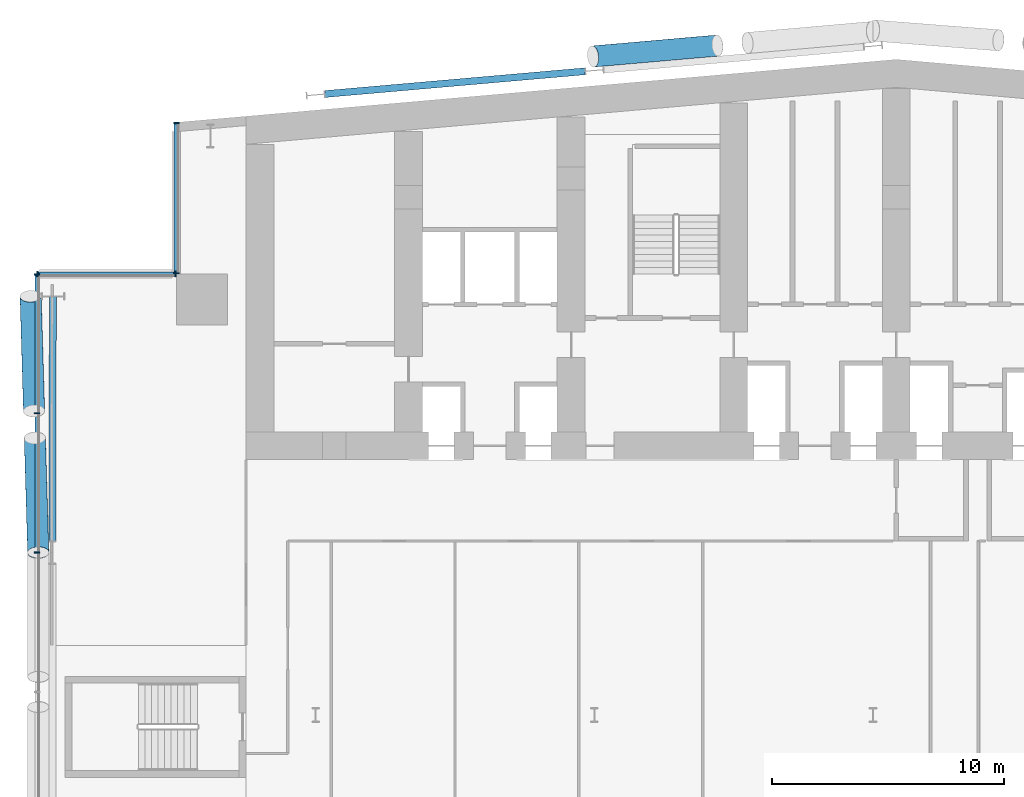
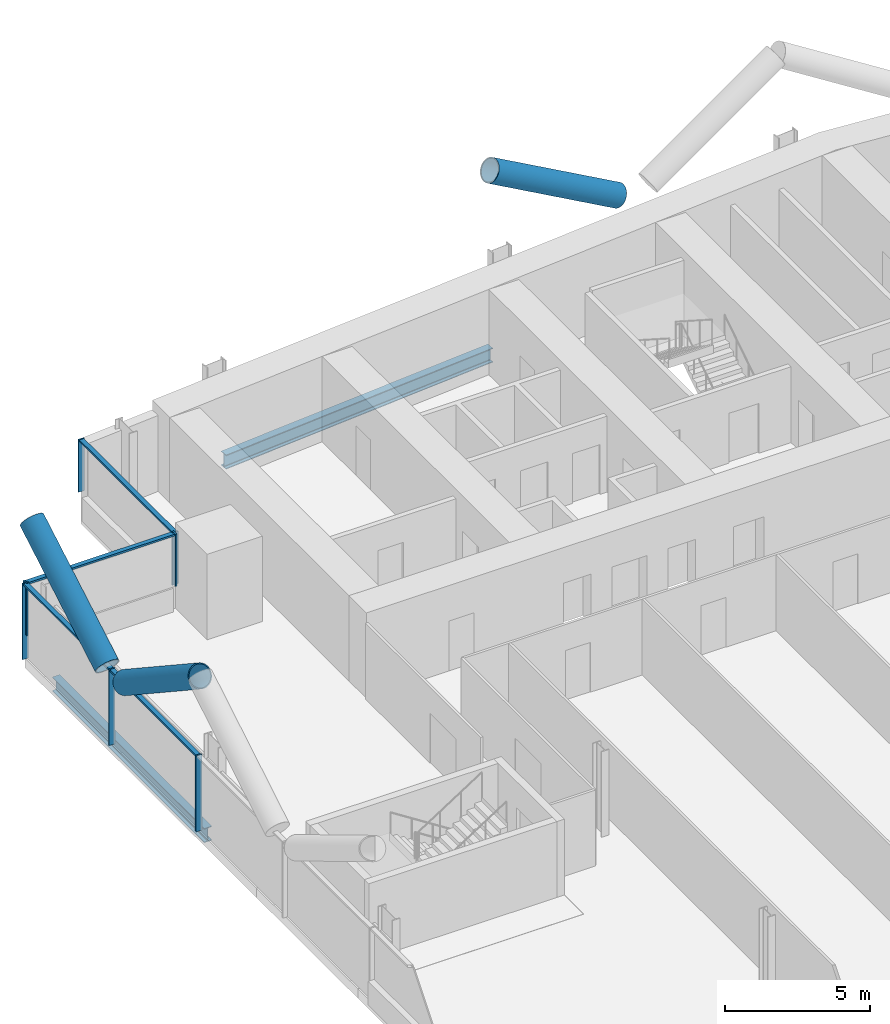
# One storey, part 7 of 25: 14 members, 2 beams, 3 elements without a shape of their own.
"""IFC4 building model written with IfcOpenShell, lengths in metres."""

from ifc_helpers import new_model, si_unit, direction, frame, origin, origin_2d, place, context, subcontext, project, spatial, rectangle, hollow_circle, i_section, extrude, material, material_profile, profile_set, type_object, element, aggregate, save


model = new_model("IFC4")

# Units and contexts
model_context = context("Model", 3, precision=1e-05, world=origin(), true_north=direction((0.0, 1.0)))
body_context = subcontext(model_context, "Body", "Model", "MODEL_VIEW")
ifc_project = project(units=[si_unit("LENGTHUNIT", "METRE"), si_unit("AREAUNIT", "SQUARE_METRE"), si_unit("VOLUMEUNIT", "CUBIC_METRE"), si_unit("PLANEANGLEUNIT", "RADIAN"), si_unit("MASSUNIT", "GRAM", prefix="KILO")], contexts=[model_context])

# Site, building, storey
site_placement = place(None, origin())
site = spatial("IfcSite", under=ifc_project, at=site_placement, CompositionType="ELEMENT")
building_placement = place(site_placement, origin())
building = spatial("IfcBuilding", under=site, at=building_placement, Name="Wharfspan Tower", CompositionType="ELEMENT")
storey_placement = place(building_placement, frame((0.0, 0.0, 63.100098)))
storey = spatial("IfcBuildingStorey", under=building, at=storey_placement, Name="L12", CompositionType="ELEMENT", Elevation=63.100098)

# Beams
ifc_material_1 = material(Name="Steel S355J2", Category="steel")
ifc_material_profile_1 = material_profile(ifc_material_1, i_section(OverallWidth=0.300049, OverallDepth=0.600098, WebThickness=0.015381, FlangeThickness=0.030029, FilletRadius=0.0271, at=origin_2d()))
ifc_profile_set_1 = profile_set([ifc_material_profile_1], Name="Steel S355J2")
beam_type = type_object("IfcBeamType", Name="Edge beam HEB 600", PredefinedType="SPANDREL", material=ifc_profile_set_1)
beam_1_placement = place(storey_placement, frame((23.598633, 50.724609, -0.700195), z_axis=(-0.996194, -0.087165, 0.0), x_axis=(0.087165, -0.996194, 0.0)))
element("IfcBeam", 1, at=beam_1_placement, inside=storey, type_object=beam_type, Name="Edge beam N1 L12 R.2 to R.1", PredefinedType="SPANDREL", context=body_context, shape_type="SweptSolid", body=[
    extrude(i_section(OverallWidth=0.300049, OverallDepth=0.600098, WebThickness=0.015381, FlangeThickness=0.030029, FilletRadius=0.0271, at=origin_2d()), origin(), (0.0, 0.0, 1.0), 11.23999),
])
beam_2_placement = place(storey_placement, frame((0.684814, 41.027832, -0.700195), z_axis=(-0.002249, -0.999997, 0.0), x_axis=(0.999997, -0.002249, 0.0)))
element("IfcBeam", 2, at=beam_2_placement, inside=storey, type_object=beam_type, Name="Edge beam W L12 PNRW-H.1 to PW.1", PredefinedType="SPANDREL", context=body_context, shape_type="SweptSolid", body=[
    extrude(i_section(OverallWidth=0.300049, OverallDepth=0.600098, WebThickness=0.015381, FlangeThickness=0.030029, FilletRadius=0.0271, at=origin_2d()), origin(), (0.0, 0.0, 1.0), 10.527832),
])

# Curtain wall, members
ifc_material_2 = material(Name="Aluminium 6063-T6", Category="aluminium")
curtain_wall_type = type_object("IfcCurtainWallType", Name="CURTAIN WALL PROW AND END", PredefinedType="NOTDEFINED", material=ifc_material_2)
curtain_wall_1_placement = place(storey_placement, origin())
curtain_wall_1 = element("IfcCurtainWall", 3, at=curtain_wall_1_placement, inside=storey, type_object=curtain_wall_type, Name="Curtain wall NRW-V", PredefinedType="NOTDEFINED")
ifc_material_profile_2 = material_profile(ifc_material_2, rectangle(XDim=0.23999, YDim=0.060059, at=origin_2d()))
ifc_profile_set_2 = profile_set([ifc_material_profile_2], Name="Aluminium 6063-T6")
member_type_1 = type_object("IfcMemberType", Name="MULLION PROW AND END 60x240", PredefinedType="MULLION", material=ifc_profile_set_2)
member_1_placement = place(storey_placement, frame((6.0, 48.494873, 1.0), z_axis=(0.0, 0.0, 1.0), x_axis=(1.0, 0.0, 0.0)))
member_1 = element("IfcMember", 4, at=member_1_placement, type_object=member_type_1, Name="Curtain wall NRW-V mullion 1", PredefinedType="MULLION", context=body_context, shape_type="SweptSolid", body=[
    extrude(rectangle(XDim=0.23999, YDim=0.060059, at=origin_2d()), origin(), (0.0, 0.0, 1.0), 2.199951),
])
member_2_placement = place(storey_placement, frame((6.0, 42.030029, 1.0), z_axis=(0.0, 0.0, 1.0), x_axis=(1.0, 0.0, 0.0)))
member_2 = element("IfcMember", 5, at=member_2_placement, type_object=member_type_1, Name="Curtain wall NRW-V mullion 2", PredefinedType="MULLION", context=body_context, shape_type="SweptSolid", body=[
    extrude(rectangle(XDim=0.23999, YDim=0.060059, at=origin_2d()), origin(), (0.0, 0.0, 1.0), 2.199951),
])

curtain_wall_2_placement = place(storey_placement, origin())
curtain_wall_2 = element("IfcCurtainWall", 6, at=curtain_wall_2_placement, inside=storey, type_object=curtain_wall_type, Name="Curtain wall NRW-H", PredefinedType="NOTDEFINED")
member_3_placement = place(storey_placement, frame((5.969971, 42.0, 1.0), z_axis=(0.0, 0.0, 1.0), x_axis=(0.0, -1.0, 0.0)))
member_3 = element("IfcMember", 7, at=member_3_placement, type_object=member_type_1, Name="Curtain wall NRW-H mullion 1", PredefinedType="MULLION", context=body_context, shape_type="SweptSolid", body=[
    extrude(rectangle(XDim=0.23999, YDim=0.060059, at=origin_2d()), origin(), (0.0, 0.0, 1.0), 2.199951),
])
member_4_placement = place(storey_placement, frame((0.030029, 42.0, 1.0), z_axis=(0.0, 0.0, 1.0), x_axis=(0.0, -1.0, 0.0)))
member_4 = element("IfcMember", 8, at=member_4_placement, type_object=member_type_1, Name="Curtain wall NRW-H mullion 2", PredefinedType="MULLION", context=body_context, shape_type="SweptSolid", body=[
    extrude(rectangle(XDim=0.23999, YDim=0.060059, at=origin_2d()), origin(), (0.0, 0.0, 1.0), 2.199951),
])

curtain_wall_3_placement = place(storey_placement, origin())
curtain_wall_3 = element("IfcCurtainWall", 9, at=curtain_wall_3_placement, inside=storey, type_object=curtain_wall_type, Name="Curtain wall W", PredefinedType="NOTDEFINED")
member_5_placement = place(storey_placement, frame((0.0, 41.969971, 0.0), z_axis=(0.0, 0.0, 1.0), x_axis=(1.0, 0.0, 0.0)))
member_5 = element("IfcMember", 10, at=member_5_placement, type_object=member_type_1, Name="Curtain wall W mullion 1", PredefinedType="MULLION", context=body_context, shape_type="SweptSolid", body=[
    extrude(rectangle(XDim=0.23999, YDim=0.060059, at=origin_2d()), origin(), (0.0, 0.0, 1.0), 3.199951),
])
member_6_placement = place(storey_placement, frame((0.0, 36.0, 0.0), z_axis=(0.0, 0.0, 1.0), x_axis=(1.0, 0.0, 0.0)))
member_6 = element("IfcMember", 11, at=member_6_placement, type_object=member_type_1, Name="Curtain wall W mullion 2", PredefinedType="MULLION", context=body_context, shape_type="SweptSolid", body=[
    extrude(rectangle(XDim=0.23999, YDim=0.060059, at=origin_2d()), origin(), (0.0, 0.0, 1.0), 3.199951),
])
member_7_placement = place(storey_placement, frame((0.0, 30.0, 0.0), z_axis=(0.0, 0.0, 1.0), x_axis=(1.0, 0.0, 0.0)))
member_7 = element("IfcMember", 12, at=member_7_placement, type_object=member_type_1, Name="Curtain wall W mullion 3", PredefinedType="MULLION", context=body_context, shape_type="SweptSolid", body=[
    extrude(rectangle(XDim=0.23999, YDim=0.060059, at=origin_2d()), origin(), (0.0, 0.0, 1.0), 3.199951),
])

# Members
ifc_material_3 = material(Name="Steel S460NH", Category="steel")
ifc_material_profile_3 = material_profile(ifc_material_3, hollow_circle(Radius=0.457031, WallThickness=0.040039, at=origin_2d()))
ifc_profile_set_3 = profile_set([ifc_material_profile_3], Name="Steel S460NH")
member_type_2 = type_object("IfcMemberType", Name="Mega brace CHS 914x40", PredefinedType="BRACE", material=ifc_profile_set_3)
for number, where, z_axis, x_axis, name in (
    (13, (-0.091797, 34.933594, 3.280762), (0.0249, -0.837221, 0.546298), (0.999556, 0.02973, 3e-06), "Mega brace W4 L12 part 2"),
    (14, (-0.126465, 36.100586, 3.280762), (-0.0249, 0.837221, 0.546298), (-0.999556, -0.02973, 3e-06), "Mega brace W4 L12 part 4"),
):
    element("IfcMember", number, at=place(storey_placement, frame(where, z_axis=z_axis, x_axis=x_axis)), inside=storey, type_object=member_type_2, Name=name, PredefinedType="BRACE", context=body_context, shape_type="SweptSolid", body=[
        extrude(hollow_circle(Radius=0.457031, WallThickness=0.040039, at=origin_2d()), origin(), (0.0, 0.0, 1.0), 5.892822),
    ])
member_8_placement = place(storey_placement, frame((29.296875, 51.831055, 3.290283), z_axis=(-0.855094, -0.074809, 0.513048), x_axis=(0.087154, -0.996195, 1e-06)))
element("IfcMember", 15, at=member_8_placement, inside=storey, type_object=member_type_2, Name="Mega brace N7 L12 part 4", PredefinedType="BRACE", context=body_context, shape_type="SweptSolid", body=[
    extrude(hollow_circle(Radius=0.457031, WallThickness=0.040039, at=origin_2d()), origin(), (0.0, 0.0, 1.0), 6.256104),
])

# Member
ifc_material_profile_4 = material_profile(ifc_material_2, rectangle(XDim=0.179932, YDim=0.080078, at=origin_2d()))
ifc_profile_set_4 = profile_set([ifc_material_profile_4], Name="Aluminium 6063-T6")
member_type_3 = type_object("IfcMemberType", Name="TRANSOM PROW AND END 80x180", PredefinedType="USERDEFINED", material=ifc_profile_set_4)
member_9_placement = place(storey_placement, frame((6.0, 48.464844, 3.159912), z_axis=(0.0, -1.0, 0.0), x_axis=(1.0, 0.0, 0.0)))
member_9 = element("IfcMember", 16, at=member_9_placement, type_object=member_type_3, Name="Curtain wall NRW-V transom 1", ObjectType="TRANSOM", PredefinedType="USERDEFINED", context=body_context, shape_type="SweptSolid", body=[
    extrude(rectangle(XDim=0.179932, YDim=0.080078, at=origin_2d()), origin(), (0.0, 0.0, 1.0), 6.404785),
])

aggregate(curtain_wall_1, [member_1, member_2, member_9])

member_10_placement = place(storey_placement, frame((5.939941, 42.0, 3.159912), z_axis=(-1.0, 0.0, 0.0), x_axis=(0.0, -1.0, 0.0)))
member_10 = element("IfcMember", 17, at=member_10_placement, type_object=member_type_3, Name="Curtain wall NRW-H transom 1", ObjectType="TRANSOM", PredefinedType="USERDEFINED", context=body_context, shape_type="SweptSolid", body=[
    extrude(rectangle(XDim=0.179932, YDim=0.080078, at=origin_2d()), origin(), (0.0, 0.0, 1.0), 5.879883),
])

aggregate(curtain_wall_2, [member_3, member_4, member_10])

member_11_placement = place(storey_placement, frame((0.0, 41.939941, 3.159912), z_axis=(0.0, -1.0, 0.0), x_axis=(1.0, 0.0, 0.0)))
member_11 = element("IfcMember", 18, at=member_11_placement, type_object=member_type_3, Name="Curtain wall W transom 1", ObjectType="TRANSOM", PredefinedType="USERDEFINED", context=body_context, shape_type="SweptSolid", body=[
    extrude(rectangle(XDim=0.179932, YDim=0.080078, at=origin_2d()), origin(), (0.0, 0.0, 1.0), 5.909912),
])

member_12_placement = place(storey_placement, frame((0.0, 35.969971, 3.159912), z_axis=(0.0, -1.0, 0.0), x_axis=(1.0, 0.0, 0.0)))
member_12 = element("IfcMember", 19, at=member_12_placement, type_object=member_type_3, Name="Curtain wall W transom 2", ObjectType="TRANSOM", PredefinedType="USERDEFINED", context=body_context, shape_type="SweptSolid", body=[
    extrude(rectangle(XDim=0.179932, YDim=0.080078, at=origin_2d()), origin(), (0.0, 0.0, 1.0), 5.939941),
])

aggregate(curtain_wall_3, [member_5, member_6, member_7, member_11, member_12])

save(model, "model.ifc")
